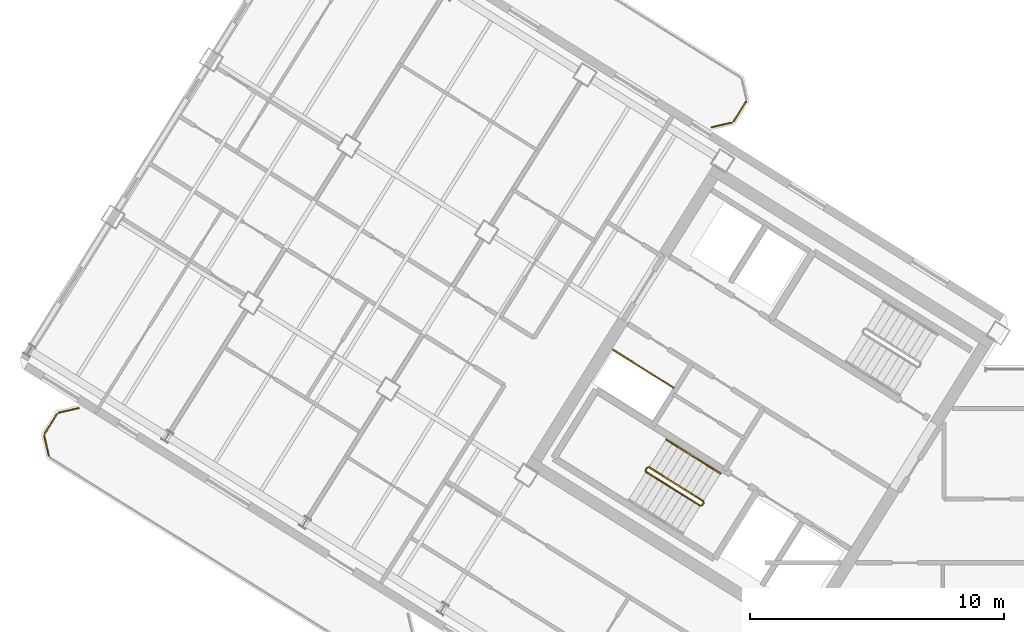
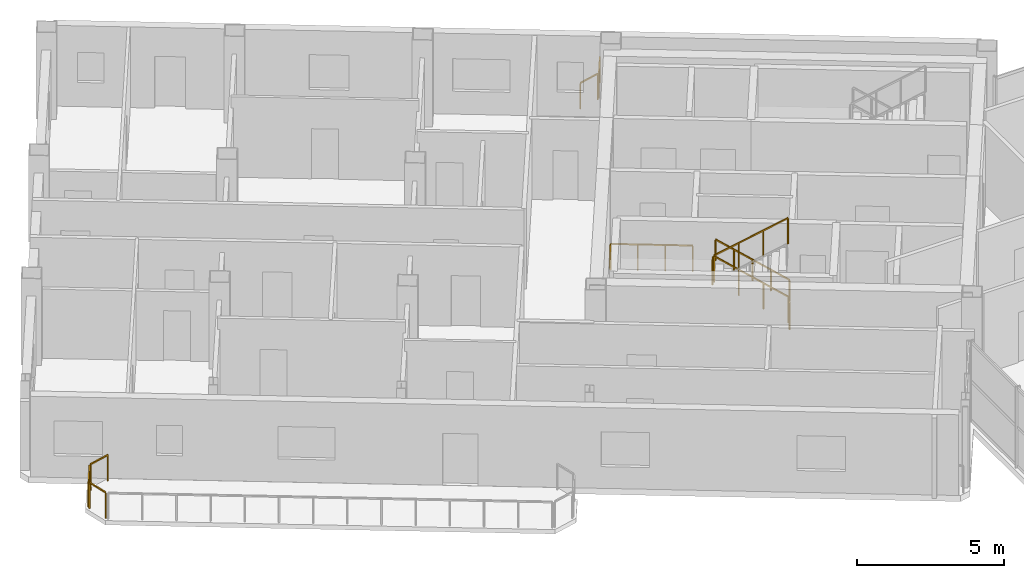
# One storey, part 13 of 14: 12 railings.
"""IFC4 building model written with IfcOpenShell, lengths in metres."""

from ifc_helpers import new_model, si_unit, direction, frame, origin, origin_2d, place, context, subcontext, project, spatial, rectangle, extrude, source, transform, mapped, material, type_object, element, save


model = new_model("IFC4")

# Units and contexts
model_context = context("Model", 3, precision=1e-05, world=origin(), true_north=direction((0.0, 1.0)))
body_context = subcontext(model_context, "Body", "Model", "MODEL_VIEW")
ifc_project = project(units=[si_unit("LENGTHUNIT", "METRE"), si_unit("AREAUNIT", "SQUARE_METRE"), si_unit("VOLUMEUNIT", "CUBIC_METRE"), si_unit("PLANEANGLEUNIT", "RADIAN"), si_unit("MASSUNIT", "GRAM", prefix="KILO")], contexts=[model_context])

# Site, building, storey
site_placement = place(None, origin())
site = spatial("IfcSite", under=ifc_project, at=site_placement, CompositionType="ELEMENT")
building_placement = place(site_placement, origin())
building = spatial("IfcBuilding", under=site, at=building_placement, Name="Tlacorven Tower", CompositionType="ELEMENT")
storey_placement = place(building_placement, frame((0.0, 0.0, 273.60009765625)))
storey = spatial("IfcBuildingStorey", under=building, at=storey_placement, Name="L69", CompositionType="ELEMENT", Elevation=273.60009765625)

# Railings
ifc_material = material(Name="Aluminium and painted steel balustrade", Category="steel")
railing_type_1 = type_object("IfcRailingType", Name="RL-GRD-1100", PredefinedType="GUARDRAIL", material=ifc_material)
shared_shape_1 = source(origin(), body_context, "Body", "SweptSolid", [
    extrude(rectangle(XDim=0.048095703125, YDim=0.048095703125, at=origin_2d()), frame((0.0, 0.0, 1.076171875), z_axis=(-0.848091358275, 0.529850024081, 0.0), x_axis=(-0.529850024081, -0.848091358275, 0.0)), (0.0, 0.0, 1.0), 2.800048828125),
    extrude(rectangle(XDim=0.0419921875, YDim=0.0419921875, at=origin_2d()), origin(), (0.0, 0.0, 1.0), 1.052001953125),
    extrude(rectangle(XDim=0.0419921875, YDim=0.0419921875, at=origin_2d()), frame((-0.79150390625, 0.49462890625, 0.0)), (0.0, 0.0, 1.0), 1.052001953125),
    extrude(rectangle(XDim=0.0419921875, YDim=0.0419921875, at=origin_2d()), frame((-1.583251953125, 0.989013671875, 0.0)), (0.0, 0.0, 1.0), 1.052001953125),
    extrude(rectangle(XDim=0.0419921875, YDim=0.0419921875, at=origin_2d()), frame((-2.374755859375, 1.483642578125, 0.0)), (0.0, 0.0, 1.0), 1.052001953125),
])
railing_1_placement = place(storey_placement, frame((27.9912109375, 22.32080078125, 0.0)))
element("IfcRailing", 1, at=railing_1_placement, inside=storey, type_object=railing_type_1, Name="L69 Electrical Riser W Shaft Guard 1", PredefinedType="GUARDRAIL", context=body_context, shape_type="MappedRepresentation", body=[
    mapped(shared_shape_1, transform((0.0, 0.0, 0.0), scale=1.0)),
])
railing_type_2 = type_object("IfcRailingType", Name="RL-BAL-1100", PredefinedType="BALUSTRADE", material=ifc_material)
shared_shape_2 = source(origin(), body_context, "Body", "SweptSolid", [
    extrude(rectangle(XDim=0.048095703125, YDim=0.048095703125, at=origin_2d()), frame((0.0, 0.0, 1.076171875), z_axis=(-0.52987865805, -0.848073468364, 0.0), x_axis=(0.848073468364, -0.52987865805, 0.0)), (0.0, 0.0, 1.0), 0.912353515625),
    extrude(rectangle(XDim=0.0419921875, YDim=0.0419921875, at=origin_2d()), origin(), (0.0, 0.0, 1.0), 1.052001953125),
    extrude(rectangle(XDim=0.0419921875, YDim=0.0419921875, at=origin_2d()), frame((-0.4833984375, -0.773681640625, 0.0)), (0.0, 0.0, 1.0), 1.052001953125),
])
railing_2_placement = place(storey_placement, frame((30.845947265625, 33.588623046875, 0.0)))
element("IfcRailing", 2, at=railing_2_placement, inside=storey, type_object=railing_type_2, Name="BAL-L69-W-IN Guard Railing 2", PredefinedType="BALUSTRADE", context=body_context, shape_type="MappedRepresentation", body=[
    mapped(shared_shape_2, transform((0.0, 0.0, 0.0), scale=1.0)),
])
shared_shape_3 = source(origin(), body_context, "Body", "SweptSolid", [
    extrude(rectangle(XDim=0.048095703125, YDim=0.048095703125, at=origin_2d()), frame((0.0, 0.0, 1.076171875), z_axis=(-0.225058334816, 0.974345290916, 0.0), x_axis=(-0.974345290916, -0.225058334816, 0.0)), (0.0, 0.0, 1.0), 0.80712890625),
    extrude(rectangle(XDim=0.0419921875, YDim=0.0419921875, at=origin_2d()), origin(), (0.0, 0.0, 1.0), 1.052001953125),
    extrude(rectangle(XDim=0.0419921875, YDim=0.0419921875, at=origin_2d()), frame((-0.181640625, 0.786376953125, 0.0)), (0.0, 0.0, 1.0), 1.052001953125),
])
railing_3_placement = place(storey_placement, frame((3.380859375, 19.62841796875, 0.0)))
element("IfcRailing", 3, at=railing_3_placement, inside=storey, type_object=railing_type_2, Name="BAL-L69-W-OUT Guard Railing 5", PredefinedType="BALUSTRADE", context=body_context, shape_type="MappedRepresentation", body=[
    mapped(shared_shape_3, transform((0.0, 0.0, 0.0), scale=1.0)),
])
shared_shape_4 = source(origin(), body_context, "Body", "SweptSolid", [
    extrude(rectangle(XDim=0.048095703125, YDim=0.048095703125, at=origin_2d()), frame((0.0, 0.0, 1.076171875), z_axis=(0.52987865805, 0.848073468364, 0.0), x_axis=(-0.848073468364, 0.52987865805, 0.0)), (0.0, 0.0, 1.0), 0.912353515625),
    extrude(rectangle(XDim=0.0419921875, YDim=0.0419921875, at=origin_2d()), origin(), (0.0, 0.0, 1.0), 1.052001953125),
    extrude(rectangle(XDim=0.0419921875, YDim=0.0419921875, at=origin_2d()), frame((0.4833984375, 0.773681640625, 0.0)), (0.0, 0.0, 1.0), 1.052001953125),
])
railing_4_placement = place(storey_placement, frame((3.214599609375, 20.505859375, 0.0)))
element("IfcRailing", 4, at=railing_4_placement, inside=storey, type_object=railing_type_2, Name="BAL-L69-W-OUT Guard Railing 6", PredefinedType="BALUSTRADE", context=body_context, shape_type="MappedRepresentation", body=[
    mapped(shared_shape_4, transform((0.0, 0.0, 0.0), scale=1.0)),
])
shared_shape_5 = source(origin(), body_context, "Body", "SweptSolid", [
    extrude(rectangle(XDim=0.048095703125, YDim=0.048095703125, at=origin_2d()), frame((0.0, 0.0, 1.076171875), z_axis=(0.974345290916, 0.225058334816, 0.0), x_axis=(-0.225058334816, 0.974345290916, 0.0)), (0.0, 0.0, 1.0), 0.80712890625),
    extrude(rectangle(XDim=0.0419921875, YDim=0.0419921875, at=origin_2d()), origin(), (0.0, 0.0, 1.0), 1.052001953125),
    extrude(rectangle(XDim=0.0419921875, YDim=0.0419921875, at=origin_2d()), frame((0.786376953125, 0.181640625, 0.0)), (0.0, 0.0, 1.0), 1.052001953125),
])
railing_5_placement = place(storey_placement, frame((3.773193359375, 21.3330078125, 0.0)))
element("IfcRailing", 5, at=railing_5_placement, inside=storey, type_object=railing_type_2, Name="BAL-L69-W-OUT Guard Railing 7", PredefinedType="BALUSTRADE", context=body_context, shape_type="MappedRepresentation", body=[
    mapped(shared_shape_5, transform((0.0, 0.0, 0.0), scale=1.0)),
])
shared_shape_6 = source(origin(), body_context, "Body", "SweptSolid", [
    extrude(rectangle(XDim=0.048095703125, YDim=0.048095703125, at=origin_2d()), frame((0.0, 0.0, 1.076171875), z_axis=(-0.974345290916, -0.225058334816, 0.0), x_axis=(0.225058334816, -0.974345290916, 0.0)), (0.0, 0.0, 1.0), 0.80712890625),
    extrude(rectangle(XDim=0.0419921875, YDim=0.0419921875, at=origin_2d()), origin(), (0.0, 0.0, 1.0), 1.052001953125),
    extrude(rectangle(XDim=0.0419921875, YDim=0.0419921875, at=origin_2d()), frame((-0.786376953125, -0.181640625, 0.0)), (0.0, 0.0, 1.0), 1.052001953125),
])
railing_6_placement = place(storey_placement, frame((30.287353515625, 32.761474609375, 0.0)))
element("IfcRailing", 6, at=railing_6_placement, inside=storey, type_object=railing_type_2, Name="BAL-L69-W-IN Guard Railing 3", PredefinedType="BALUSTRADE", context=body_context, shape_type="MappedRepresentation", body=[
    mapped(shared_shape_6, transform((0.0, 0.0, 0.0), scale=1.0)),
])
shared_shape_7 = source(origin(), body_context, "Body", "SweptSolid", [
    extrude(rectangle(XDim=0.048095703125, YDim=0.048095703125, at=origin_2d()), frame((0.0, 0.0, 1.076171875), z_axis=(-0.529084052582, -0.848569422795, 0.0), x_axis=(0.848569422795, -0.529084052582, 0.0)), (0.0, 0.0, 1.0), 0.119873046875),
    extrude(rectangle(XDim=0.0419921875, YDim=0.0419921875, at=origin_2d()), origin(), (0.0, 0.0, 1.0), 1.052001953125),
    extrude(rectangle(XDim=0.0419921875, YDim=0.0419921875, at=origin_2d()), frame((-0.0634765625, -0.101806640625, 0.0)), (0.0, 0.0, 1.0), 1.052001953125),
])
railing_7_placement = place(storey_placement, frame((29.176513671875, 17.782958984375, 0.0)))
element("IfcRailing", 7, at=railing_7_placement, inside=storey, type_object=railing_type_1, Name="L69 ST-W1 stair guard 4", PredefinedType="GUARDRAIL", context=body_context, shape_type="MappedRepresentation", body=[
    mapped(shared_shape_7, transform((0.0, 0.0, 0.0), scale=1.0)),
])
shared_shape_8 = source(origin(), body_context, "Body", "SweptSolid", [
    extrude(rectangle(XDim=0.048095703125, YDim=0.048095703125, at=origin_2d()), frame((0.0, 0.0, 1.076171875), z_axis=(-0.530546985787, -0.847655529016, 0.0), x_axis=(0.847655529016, -0.530546985787, 0.0)), (0.0, 0.0, 1.0), 0.1201171875),
    extrude(rectangle(XDim=0.0419921875, YDim=0.0419921875, at=origin_2d()), origin(), (0.0, 0.0, 1.0), 1.052001953125),
    extrude(rectangle(XDim=0.0419921875, YDim=0.0419921875, at=origin_2d()), frame((-0.063720703125, -0.101806640625, 0.0)), (0.0, 0.0, 1.0), 1.052001953125),
])
railing_8_placement = place(storey_placement, frame((26.954833984375, 19.17138671875, 1.7998046875)))
element("IfcRailing", 8, at=railing_8_placement, inside=storey, type_object=railing_type_1, Name="L69 ST-W1 stair guard 2", PredefinedType="GUARDRAIL", context=body_context, shape_type="MappedRepresentation", body=[
    mapped(shared_shape_8, transform((0.0, 0.0, 0.0), scale=1.0)),
])
railing_type_3 = type_object("IfcRailingType", Name="RL-HND-0900", PredefinedType="HANDRAIL", material=ifc_material)
shared_shape_9 = source(origin(), body_context, "Body", "SweptSolid", [
    extrude(rectangle(XDim=0.048095703125, YDim=0.048095703125, at=origin_2d()), frame((0.0, 0.0, 0.8759765625), z_axis=(-0.713359751793, 0.4457479829, 0.540764828981), x_axis=(-0.529911857636, -0.848052724267, 0.0)), (0.0, 0.0, 1.0), 1.498046875),
    extrude(rectangle(XDim=0.0419921875, YDim=0.0419921875, at=origin_2d()), origin(), (0.0, 0.0, 1.0), 0.851806640625),
    extrude(rectangle(XDim=0.0419921875, YDim=0.0419921875, at=origin_2d()), frame((-0.5341796875, 0.333984375, 0.405029296875)), (0.0, 0.0, 1.0), 0.851806640625),
    extrude(rectangle(XDim=0.0419921875, YDim=0.0419921875, at=origin_2d()), frame((-1.068603515625, 0.667724609375, 0.81005859375)), (0.0, 0.0, 1.0), 0.851806640625),
])
railing_9_placement = place(storey_placement, frame((29.839111328125, 18.937255859375, 0.179931640625)))
element("IfcRailing", 9, at=railing_9_placement, inside=storey, type_object=railing_type_3, Name="L69 ST-W1 stair handrail 1", PredefinedType="HANDRAIL", context=body_context, shape_type="MappedRepresentation", body=[
    mapped(shared_shape_9, transform((0.0, 0.0, 0.0), scale=1.0)),
])
shared_shape_10 = source(origin(), body_context, "Body", "SweptSolid", [
    extrude(rectangle(XDim=0.048095703125, YDim=0.048095703125, at=origin_2d()), frame((0.0, 0.0, 1.076171875), z_axis=(-0.713351164325, 0.445793541512, 0.540738601085), x_axis=(-0.529955395941, -0.84802551749, 0.0)), (0.0, 0.0, 1.0), 2.99560546875),
    extrude(rectangle(XDim=0.0419921875, YDim=0.0419921875, at=origin_2d()), origin(), (0.0, 0.0, 1.0), 1.052001953125),
    extrude(rectangle(XDim=0.0419921875, YDim=0.0419921875, at=origin_2d()), frame((-0.71240234375, 0.445068359375, 0.5400390625)), (0.0, 0.0, 1.0), 1.052001953125),
    extrude(rectangle(XDim=0.0419921875, YDim=0.0419921875, at=origin_2d()), frame((-1.424560546875, 0.890380859375, 1.079833984375)), (0.0, 0.0, 1.0), 1.052001953125),
    extrude(rectangle(XDim=0.0419921875, YDim=0.0419921875, at=origin_2d()), frame((-2.136962890625, 1.33544921875, 1.619873046875)), (0.0, 0.0, 1.0), 1.052001953125),
])
railing_10_placement = place(storey_placement, frame((29.16064453125, 17.851806640625, 0.179931640625)))
element("IfcRailing", 10, at=railing_10_placement, inside=storey, type_object=railing_type_1, Name="L69 ST-W1 stair guard 1", PredefinedType="GUARDRAIL", context=body_context, shape_type="MappedRepresentation", body=[
    mapped(shared_shape_10, transform((0.0, 0.0, 0.0), scale=1.0)),
])
shared_shape_11 = source(origin(), body_context, "Body", "SweptSolid", [
    extrude(rectangle(XDim=0.048095703125, YDim=0.048095703125, at=origin_2d()), frame((0.0, 0.0, 1.076171875), z_axis=(0.71339118691, -0.44576762536, 0.540707165313), x_axis=(0.529911857636, 0.848052724267, 0.0)), (0.0, 0.0, 1.0), 2.995849609375),
    extrude(rectangle(XDim=0.0419921875, YDim=0.0419921875, at=origin_2d()), origin(), (0.0, 0.0, 1.0), 1.052001953125),
    extrude(rectangle(XDim=0.0419921875, YDim=0.0419921875, at=origin_2d()), frame((0.71240234375, -0.445068359375, 0.5400390625)), (0.0, 0.0, 1.0), 1.052001953125),
    extrude(rectangle(XDim=0.0419921875, YDim=0.0419921875, at=origin_2d()), frame((1.4248046875, -0.890380859375, 1.079833984375)), (0.0, 0.0, 1.0), 1.052001953125),
    extrude(rectangle(XDim=0.0419921875, YDim=0.0419921875, at=origin_2d()), frame((2.13720703125, -1.33544921875, 1.619873046875)), (0.0, 0.0, 1.0), 1.052001953125),
])
railing_11_placement = place(storey_placement, frame((26.906982421875, 19.000732421875, 1.97998046875)))
element("IfcRailing", 11, at=railing_11_placement, inside=storey, type_object=railing_type_1, Name="L69 ST-W1 stair guard 3", PredefinedType="GUARDRAIL", context=body_context, shape_type="MappedRepresentation", body=[
    mapped(shared_shape_11, transform((0.0, 0.0, 0.0), scale=1.0)),
])
shared_shape_12 = source(origin(), body_context, "Body", "SweptSolid", [
    extrude(rectangle(XDim=0.048095703125, YDim=0.048095703125, at=origin_2d()), frame((0.0, 0.0, 0.8759765625), z_axis=(-0.713422621445, 0.445787267455, 0.540649494022), x_axis=(-0.529911857636, -0.848052724267, 0.0)), (0.0, 0.0, 1.0), 1.497802734375),
    extrude(rectangle(XDim=0.0419921875, YDim=0.0419921875, at=origin_2d()), origin(), (0.0, 0.0, 1.0), 0.851806640625),
    extrude(rectangle(XDim=0.0419921875, YDim=0.0419921875, at=origin_2d()), frame((-0.5341796875, 0.333984375, 0.40478515625)), (0.0, 0.0, 1.0), 0.851806640625),
    extrude(rectangle(XDim=0.0419921875, YDim=0.0419921875, at=origin_2d()), frame((-1.068603515625, 0.667724609375, 0.809814453125)), (0.0, 0.0, 1.0), 0.851806640625),
])
railing_12_placement = place(storey_placement, frame((28.7705078125, 19.60498046875, 0.989990234375)))
element("IfcRailing", 12, at=railing_12_placement, inside=storey, type_object=railing_type_3, Name="L69 ST-W1 stair handrail 2", PredefinedType="HANDRAIL", context=body_context, shape_type="MappedRepresentation", body=[
    mapped(shared_shape_12, transform((0.0, 0.0, 0.0), scale=1.0)),
])

save(model, "model.ifc")
